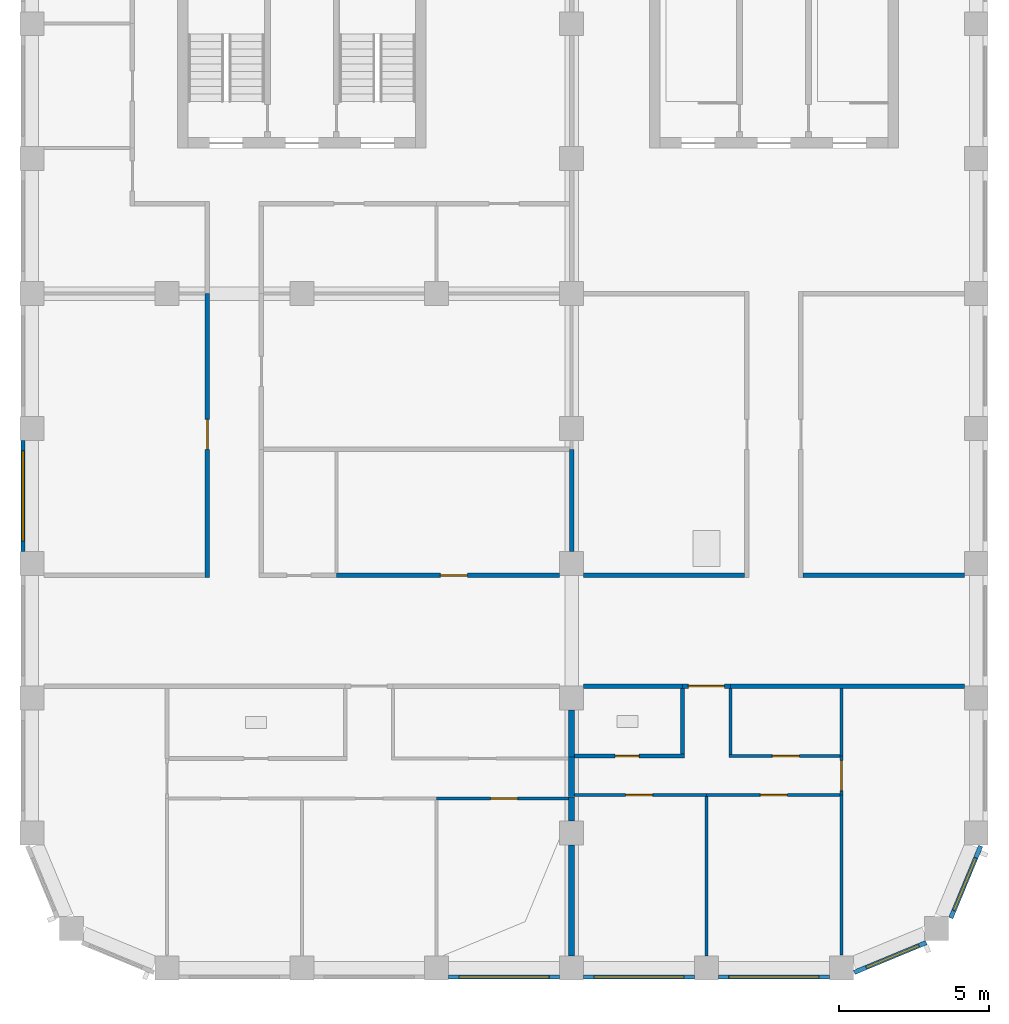
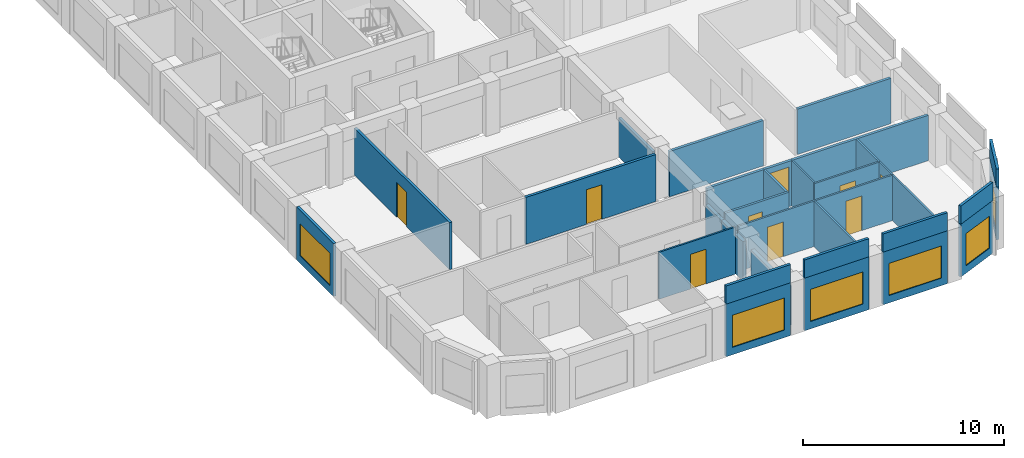
# One storey, part 3 of 10: 34 walls, 9 doors, 6 windows, 15 openings.
"""IFC4 building model written with IfcOpenShell, lengths in metres."""

from ifc_helpers import new_model, si_unit, direction, frame, frame_2d, origin, place, context, subcontext, project, spatial, rectangle, extrude, material, layer, layer_set, type_object, element, fill, save


model = new_model("IFC4")

# Units and contexts
model_context = context("Model", 3, precision=1e-05, world=origin(), true_north=direction((0.0, 1.0)))
body_context = subcontext(model_context, "Body", "Model", "MODEL_VIEW")
ifc_project = project(units=[si_unit("LENGTHUNIT", "METRE"), si_unit("AREAUNIT", "SQUARE_METRE"), si_unit("VOLUMEUNIT", "CUBIC_METRE"), si_unit("PLANEANGLEUNIT", "RADIAN"), si_unit("MASSUNIT", "GRAM", prefix="KILO")], contexts=[model_context])

# Site, building, storey
site_placement = place(None, origin())
site = spatial("IfcSite", under=ifc_project, at=site_placement, CompositionType="ELEMENT")
building_placement = place(site_placement, origin())
building = spatial("IfcBuilding", under=site, at=building_placement, Name="Girih Gate Residences", CompositionType="ELEMENT")
storey_placement = place(building_placement, frame((0.0, 0.0, 232.4951171875)))
storey = spatial("IfcBuildingStorey", under=building, at=storey_placement, Name="L65", CompositionType="ELEMENT", Elevation=232.4951171875)

# Wall
ifc_material_1 = material(Name="Gypsum board on steel studs", Category="steel")
ifc_layer_1 = layer(ifc_material_1, 0.14990234375)
ifc_layer_set_1 = layer_set([ifc_layer_1], Name="Compartment wall 150 mm")
wall_type_1 = type_object("IfcWallType", Name="Compartment wall 150 mm", PredefinedType="PARTITIONING", material=ifc_layer_set_1)
wall_1_placement = place(storey_placement, frame((18.39990234375, 9.39990234375, 0.0), z_axis=(0.0, 0.0, 1.0), x_axis=(1.0, 0.0, 0.0)))
element("IfcWall", 1, at=wall_1_placement, inside=storey, type_object=wall_type_1, Name="L65 partition", PredefinedType="PARTITIONING", context=body_context, shape_type="SweptSolid", body=[
    extrude(rectangle(XDim=3.300048828125, YDim=0.14990234375, at=frame_2d((1.64990234375, 0.0))), origin(), (0.0, 0.0, 1.0), 2.75),
])

# Wall, opening, door
wall_2_placement = place(storey_placement, frame((23.300048828125, 9.39990234375, 0.0), z_axis=(0.0, 0.0, 1.0), x_axis=(-1.0, 0.0, 0.0)))
wall_2 = element("IfcWall", 2, at=wall_2_placement, inside=storey, type_object=wall_type_1, Name="L65 partition", PredefinedType="PARTITIONING", context=body_context, shape_type="SweptSolid", body=[
    extrude(rectangle(XDim=1.60009765625, YDim=0.14990234375, at=frame_2d((0.800048828125, 0.0))), origin(), (0.0, 0.0, 1.0), 2.75),
])
opening_1_placement = place(wall_2_placement, frame((0.199951171875, 0.0, 0.0)))
opening_1 = element("IfcOpeningElement", 3, at=opening_1_placement, cuts=wall_2, Name="Opening A65-023", PredefinedType="OPENING", context=body_context, shape_type="SweptSolid", body=[
    extrude(rectangle(XDim=1.199951171875, YDim=2.39990234375, at=frame_2d((0.60009765625, 1.199951171875))), frame((0.0, 0.0849609375, 0.0), z_axis=(0.0, -1.0, 0.0), x_axis=(1.0, 0.0, 0.0)), (0.0, 0.0, 1.0), 0.169921875),
])
ifc_material_2 = material(Name="Timber, fire-rated core", Category="wood")
door_type_1 = type_object("IfcDoorType", Name="Villa entrance door 1200x2400 FD30S", OperationType="NOTDEFINED", PredefinedType="DOOR", material=ifc_material_2)
door_1_placement = place(opening_1_placement, origin())
door_1 = element("IfcDoor", 4, at=door_1_placement, inside=storey, type_object=door_type_1, Name="Door A65-023", OperationType="SINGLE_SWING_LEFT", OverallHeight=2.39990234375, OverallWidth=1.199951171875, PredefinedType="DOOR", context=body_context, shape_type="SweptSolid", body=[
    extrude(rectangle(XDim=1.199951171875, YDim=2.39990234375, at=frame_2d((0.60009765625, 1.199951171875))), frame((0.0, 0.02490234375, 0.0), z_axis=(0.0, -1.0, 0.0), x_axis=(1.0, 0.0, 0.0)), (0.0, 0.0, 1.0), 0.050048828125),
])
fill(opening_1, door_1)

# Walls
wall_3_placement = place(storey_placement, frame((23.300048828125, 9.39990234375, 0.0), z_axis=(0.0, 0.0, 1.0), x_axis=(1.0, 0.0, 0.0)))
element("IfcWall", 5, at=wall_3_placement, inside=storey, type_object=wall_type_1, Name="L65 partition", PredefinedType="PARTITIONING", context=body_context, shape_type="SweptSolid", body=[
    extrude(rectangle(XDim=7.800048828125, YDim=0.14990234375, at=frame_2d((3.89990234375, 0.0))), origin(), (0.0, 0.0, 1.0), 2.75),
])
for number, where, z_axis, x_axis, name in (
    (6, (18.39990234375, 13.10009765625, 0.0), (0.0, 0.0, 1.0), (1.0, 0.0, 0.0), "L65 partition"),
    (7, (25.72509765625, 13.10009765625, 0.0), (0.0, 0.0, 1.0), (1.0, 0.0, 0.0), "L65 partition"),
):
    element("IfcWall", number, at=place(storey_placement, frame(where, z_axis=z_axis, x_axis=x_axis)), inside=storey, type_object=wall_type_1, Name=name, PredefinedType="PARTITIONING", context=body_context, shape_type="SweptSolid", body=[
        extrude(rectangle(XDim=5.375, YDim=0.14990234375, at=frame_2d((2.6875, 0.0))), origin(), (0.0, 0.0, 1.0), 2.75),
    ])

# Wall, opening, door
wall_4_placement = place(storey_placement, frame((10.14990234375, 13.10009765625, 0.0), z_axis=(0.0, 0.0, 1.0), x_axis=(1.0, 0.0, 0.0)))
wall_4 = element("IfcWall", 8, at=wall_4_placement, inside=storey, type_object=wall_type_1, Name="L65 partition", PredefinedType="PARTITIONING", context=body_context, shape_type="SweptSolid", body=[
    extrude(rectangle(XDim=7.4501953125, YDim=0.14990234375, at=frame_2d((3.72509765625, 0.0))), origin(), (0.0, 0.0, 1.0), 2.849853515625),
])
opening_2_placement = place(wall_4_placement, frame((3.47509765625, 0.0, 0.0)))
opening_2 = element("IfcOpeningElement", 9, at=opening_2_placement, cuts=wall_4, Name="Opening A65-029", PredefinedType="OPENING", context=body_context, shape_type="SweptSolid", body=[
    extrude(rectangle(XDim=0.89990234375, YDim=2.10009765625, at=frame_2d((0.449951171875, 1.050048828125))), frame((0.0, 0.0849609375, 0.0), z_axis=(0.0, -1.0, 0.0), x_axis=(1.0, 0.0, 0.0)), (0.0, 0.0, 1.0), 0.169921875),
])
ifc_material_3 = material(Name="Timber", Category="wood")
door_type_2 = type_object("IfcDoorType", Name="Service room door 900x2100", OperationType="NOTDEFINED", PredefinedType="DOOR", material=ifc_material_3)
door_2_placement = place(opening_2_placement, origin())
door_2 = element("IfcDoor", 10, at=door_2_placement, inside=storey, type_object=door_type_2, Name="Door A65-029", OperationType="SINGLE_SWING_RIGHT", OverallHeight=2.10009765625, OverallWidth=0.89990234375, PredefinedType="DOOR", context=body_context, shape_type="SweptSolid", body=[
    extrude(rectangle(XDim=0.89990234375, YDim=2.10009765625, at=frame_2d((0.449951171875, 1.050048828125))), frame((0.0, 0.02490234375, 0.0), z_axis=(0.0, -1.0, 0.0), x_axis=(1.0, 0.0, 0.0)), (0.0, 0.0, 1.0), 0.050048828125),
])
fill(opening_2, door_2)

# Wall
wall_5_placement = place(storey_placement, frame((18.0, 13.89990234375, 0.0), z_axis=(0.0, 0.0, 1.0), x_axis=(0.0, 1.0, 0.0)))
element("IfcWall", 11, at=wall_5_placement, inside=storey, type_object=wall_type_1, Name="L65 partition", PredefinedType="PARTITIONING", context=body_context, shape_type="SweptSolid", body=[
    extrude(rectangle(XDim=3.400146484375, YDim=0.14990234375, at=frame_2d((1.7001953125, 0.0))), origin(), (0.0, 0.0, 1.0), 2.3798828125),
])

# Wall, opening, door
wall_6_placement = place(storey_placement, frame((5.85009765625, 13.02490234375, 0.0), z_axis=(0.0, 0.0, 1.0), x_axis=(0.0, 1.0, 0.0)))
wall_6 = element("IfcWall", 12, at=wall_6_placement, inside=storey, type_object=wall_type_1, Name="L65 partition", PredefinedType="PARTITIONING", context=body_context, shape_type="SweptSolid", body=[
    extrude(rectangle(XDim=9.47509765625, YDim=0.14990234375, at=frame_2d((4.737548828125, 0.0))), origin(), (0.0, 0.0, 1.0), 2.849853515625),
])
opening_3_placement = place(wall_6_placement, frame((4.27490234375, 0.0, 0.0)))
opening_3 = element("IfcOpeningElement", 13, at=opening_3_placement, cuts=wall_6, Name="Opening A65-037", PredefinedType="OPENING", context=body_context, shape_type="SweptSolid", body=[
    extrude(rectangle(XDim=1.0, YDim=2.10009765625, at=frame_2d((0.5, 1.050048828125))), frame((0.0, 0.0849609375, 0.0), z_axis=(0.0, -1.0, 0.0), x_axis=(1.0, 0.0, 0.0)), (0.0, 0.0, 1.0), 0.169921875),
])
door_type_3 = type_object("IfcDoorType", Name="Amenity room door 1000x2100 FD30S", OperationType="NOTDEFINED", PredefinedType="DOOR", material=ifc_material_2)
door_3_placement = place(opening_3_placement, origin())
door_3 = element("IfcDoor", 14, at=door_3_placement, inside=storey, type_object=door_type_3, Name="Door A65-037", OperationType="SINGLE_SWING_RIGHT", OverallHeight=2.10009765625, OverallWidth=1.0, PredefinedType="DOOR", context=body_context, shape_type="SweptSolid", body=[
    extrude(rectangle(XDim=1.0, YDim=2.10009765625, at=frame_2d((0.5, 1.050048828125))), frame((0.0, 0.02490234375, 0.0), z_axis=(0.0, -1.0, 0.0), x_axis=(1.0, 0.0, 0.0)), (0.0, 0.0, 1.0), 0.050048828125),
])
fill(opening_3, door_3)

ifc_layer_2 = layer(ifc_material_1, 0.10009765625)
ifc_layer_set_2 = layer_set([ifc_layer_2], Name="Partition 100 mm")
wall_type_2 = type_object("IfcWallType", Name="Partition 100 mm", PredefinedType="PARTITIONING", material=ifc_layer_set_2)
wall_7_placement = place(storey_placement, frame((17.89990234375, 5.64990234375, 0.0), z_axis=(0.0, 0.0, 1.0), x_axis=(-1.0, 0.0, 0.0)))
wall_7 = element("IfcWall", 15, at=wall_7_placement, inside=storey, type_object=wall_type_2, Name="L65 partition", PredefinedType="PARTITIONING", context=body_context, shape_type="SweptSolid", body=[
    extrude(rectangle(XDim=4.39990234375, YDim=0.10009765625, at=frame_2d((2.199951171875, 0.0))), origin(), (0.0, 0.0, 1.0), 2.849853515625),
])
opening_4_placement = place(wall_7_placement, frame((1.699951171875, 0.0, 0.0)))
opening_4 = element("IfcOpeningElement", 16, at=opening_4_placement, cuts=wall_7, Name="Opening A65-004", PredefinedType="OPENING", context=body_context, shape_type="SweptSolid", body=[
    extrude(rectangle(XDim=0.89990234375, YDim=2.10009765625, at=frame_2d((0.449951171875, 1.050048828125))), frame((0.0, 0.06005859375, 0.0), z_axis=(0.0, -1.0, 0.0), x_axis=(1.0, 0.0, 0.0)), (0.0, 0.0, 1.0), 0.1201171875),
])
door_type_4 = type_object("IfcDoorType", Name="Bedroom door 900x2100", OperationType="NOTDEFINED", PredefinedType="DOOR", material=ifc_material_3)
door_4_placement = place(opening_4_placement, origin())
door_4 = element("IfcDoor", 17, at=door_4_placement, inside=storey, type_object=door_type_4, Name="Door A65-004", OperationType="SINGLE_SWING_LEFT", OverallHeight=2.10009765625, OverallWidth=0.89990234375, PredefinedType="DOOR", context=body_context, shape_type="SweptSolid", body=[
    extrude(rectangle(XDim=0.89990234375, YDim=2.10009765625, at=frame_2d((0.449951171875, 1.050048828125))), frame((0.0, 0.02490234375, 0.0), z_axis=(0.0, -1.0, 0.0), x_axis=(1.0, 0.0, 0.0)), (0.0, 0.0, 1.0), 0.050048828125),
])
fill(opening_4, door_4)

# Wall
wall_8_placement = place(storey_placement, frame((22.5, 0.39990234375, 0.0), z_axis=(0.0, 0.0, 1.0), x_axis=(0.0, 1.0, 0.0)))
element("IfcWall", 18, at=wall_8_placement, inside=storey, type_object=wall_type_2, Name="L65 partition", PredefinedType="PARTITIONING", context=body_context, shape_type="SweptSolid", body=[
    extrude(rectangle(XDim=5.320068359375, YDim=0.10009765625, at=frame_2d((2.66015625, 0.0))), origin(), (0.0, 0.0, 1.0), 2.75),
])

# Wall, opening, door
wall_9_placement = place(storey_placement, frame((22.5, 5.77001953125, 0.0), z_axis=(0.0, 0.0, 1.0), x_axis=(-1.0, 0.0, 0.0)))
wall_9 = element("IfcWall", 19, at=wall_9_placement, inside=storey, type_object=wall_type_2, Name="L65 partition", PredefinedType="PARTITIONING", context=body_context, shape_type="SweptSolid", body=[
    extrude(rectangle(XDim=4.39990234375, YDim=0.10009765625, at=frame_2d((2.199951171875, 0.0))), origin(), (0.0, 0.0, 1.0), 2.75),
])
opening_5_placement = place(wall_9_placement, frame((1.800048828125, 0.0, 0.0)))
opening_5 = element("IfcOpeningElement", 20, at=opening_5_placement, cuts=wall_9, Name="Opening A65-019", PredefinedType="OPENING", context=body_context, shape_type="SweptSolid", body=[
    extrude(rectangle(XDim=0.89990234375, YDim=2.10009765625, at=frame_2d((0.449951171875, 1.050048828125))), frame((0.0, 0.06005859375, 0.0), z_axis=(0.0, -1.0, 0.0), x_axis=(1.0, 0.0, 0.0)), (0.0, 0.0, 1.0), 0.1201171875),
])
door_5_placement = place(opening_5_placement, origin())
door_5 = element("IfcDoor", 21, at=door_5_placement, inside=storey, type_object=door_type_4, Name="Door A65-019", OperationType="SINGLE_SWING_RIGHT", OverallHeight=2.10009765625, OverallWidth=0.89990234375, PredefinedType="DOOR", context=body_context, shape_type="SweptSolid", body=[
    extrude(rectangle(XDim=0.89990234375, YDim=2.10009765625, at=frame_2d((0.449951171875, 1.050048828125))), frame((0.0, 0.02490234375, 0.0), z_axis=(0.0, -1.0, 0.0), x_axis=(1.0, 0.0, 0.0)), (0.0, 0.0, 1.0), 0.050048828125),
])
fill(opening_5, door_5)

wall_10_placement = place(storey_placement, frame((26.949951171875, 5.77001953125, 0.0), z_axis=(0.0, 0.0, 1.0), x_axis=(-1.0, 0.0, 0.0)))
wall_10 = element("IfcWall", 22, at=wall_10_placement, inside=storey, type_object=wall_type_2, Name="L65 partition", PredefinedType="PARTITIONING", context=body_context, shape_type="SweptSolid", body=[
    extrude(rectangle(XDim=4.449951171875, YDim=0.10009765625, at=frame_2d((2.22509765625, 0.0))), origin(), (0.0, 0.0, 1.0), 2.75),
])
opening_6_placement = place(wall_10_placement, frame((1.75, 0.0, 0.0)))
opening_6 = element("IfcOpeningElement", 23, at=opening_6_placement, cuts=wall_10, Name="Opening A65-020", PredefinedType="OPENING", context=body_context, shape_type="SweptSolid", body=[
    extrude(rectangle(XDim=0.89990234375, YDim=2.10009765625, at=frame_2d((0.449951171875, 1.050048828125))), frame((0.0, 0.06005859375, 0.0), z_axis=(0.0, -1.0, 0.0), x_axis=(1.0, 0.0, 0.0)), (0.0, 0.0, 1.0), 0.1201171875),
])
door_6_placement = place(opening_6_placement, origin())
door_6 = element("IfcDoor", 24, at=door_6_placement, inside=storey, type_object=door_type_4, Name="Door A65-020", OperationType="SINGLE_SWING_LEFT", OverallHeight=2.10009765625, OverallWidth=0.89990234375, PredefinedType="DOOR", context=body_context, shape_type="SweptSolid", body=[
    extrude(rectangle(XDim=0.89990234375, YDim=2.10009765625, at=frame_2d((0.449951171875, 1.050048828125))), frame((0.0, 0.02490234375, 0.0), z_axis=(0.0, -1.0, 0.0), x_axis=(1.0, 0.0, 0.0)), (0.0, 0.0, 1.0), 0.050048828125),
])
fill(opening_6, door_6)

# Walls
wall_11_placement = place(storey_placement, frame((27.0, 0.432861328125, 0.0), z_axis=(0.0, 0.0, 1.0), x_axis=(0.0, 1.0, 0.0)))
element("IfcWall", 25, at=wall_11_placement, inside=storey, type_object=wall_type_2, Name="L65 partition", PredefinedType="PARTITIONING", context=body_context, shape_type="SweptSolid", body=[
    extrude(rectangle(XDim=5.337158203125, YDim=0.10009765625, at=frame_2d((2.66845703125, 0.0))), origin(), (0.0, 0.0, 1.0), 2.75),
])
wall_12_placement = place(storey_placement, frame((23.300048828125, 7.1201171875, 0.0), z_axis=(0.0, 0.0, 1.0), x_axis=(0.0, 1.0, 0.0)))
element("IfcWall", 26, at=wall_12_placement, inside=storey, type_object=wall_type_2, Name="L65 partition", PredefinedType="PARTITIONING", context=body_context, shape_type="SweptSolid", body=[
    extrude(rectangle(XDim=2.204833984375, YDim=0.10009765625, at=frame_2d((1.1025390625, 0.0))), origin(), (0.0, 0.0, 1.0), 2.75),
])

# Wall, opening, door
wall_13_placement = place(storey_placement, frame((23.25, 7.070068359375, 0.0), z_axis=(0.0, 0.0, 1.0), x_axis=(1.0, 0.0, 0.0)))
wall_13 = element("IfcWall", 27, at=wall_13_placement, inside=storey, type_object=wall_type_2, Name="L65 partition", PredefinedType="PARTITIONING", context=body_context, shape_type="SweptSolid", body=[
    extrude(rectangle(XDim=3.699951171875, YDim=0.10009765625, at=frame_2d((1.85009765625, 0.0))), origin(), (0.0, 0.0, 1.0), 2.75),
])
opening_7_placement = place(wall_13_placement, frame((1.449951171875, 0.0, 0.0)))
opening_7 = element("IfcOpeningElement", 28, at=opening_7_placement, cuts=wall_13, Name="Opening A65-021", PredefinedType="OPENING", context=body_context, shape_type="SweptSolid", body=[
    extrude(rectangle(XDim=0.89990234375, YDim=2.10009765625, at=frame_2d((0.449951171875, 1.050048828125))), frame((0.0, 0.06005859375, 0.0), z_axis=(0.0, -1.0, 0.0), x_axis=(1.0, 0.0, 0.0)), (0.0, 0.0, 1.0), 0.1201171875),
])
door_type_5 = type_object("IfcDoorType", Name="Kitchen door 900x2100", OperationType="NOTDEFINED", PredefinedType="DOOR", material=ifc_material_3)
door_7_placement = place(opening_7_placement, origin())
door_7 = element("IfcDoor", 29, at=door_7_placement, inside=storey, type_object=door_type_5, Name="Door A65-021", OperationType="SINGLE_SWING_RIGHT", OverallHeight=2.10009765625, OverallWidth=0.89990234375, PredefinedType="DOOR", context=body_context, shape_type="SweptSolid", body=[
    extrude(rectangle(XDim=0.89990234375, YDim=2.10009765625, at=frame_2d((0.449951171875, 1.050048828125))), frame((0.0, 0.02490234375, 0.0), z_axis=(0.0, -1.0, 0.0), x_axis=(1.0, 0.0, 0.0)), (0.0, 0.0, 1.0), 0.050048828125),
])
fill(opening_7, door_7)

wall_14_placement = place(storey_placement, frame((27.0, 7.070068359375, 0.0), z_axis=(0.0, 0.0, 1.0), x_axis=(0.0, -1.0, 0.0)))
wall_14 = element("IfcWall", 30, at=wall_14_placement, inside=storey, type_object=wall_type_2, Name="L65 partition", PredefinedType="PARTITIONING", context=body_context, shape_type="SweptSolid", body=[
    extrude(rectangle(XDim=1.300048828125, YDim=0.10009765625, at=frame_2d((0.64990234375, 0.0))), origin(), (0.0, 0.0, 1.0), 2.75),
])
opening_8_placement = place(wall_14_placement, frame((0.14990234375, 0.0, 0.0)))
opening_8 = element("IfcOpeningElement", 31, at=opening_8_placement, cuts=wall_14, Name="Opening A65-022", PredefinedType="OPENING", context=body_context, shape_type="SweptSolid", body=[
    extrude(rectangle(XDim=1.0, YDim=2.10009765625, at=frame_2d((0.5, 1.050048828125))), frame((0.0, 0.06005859375, 0.0), z_axis=(0.0, -1.0, 0.0), x_axis=(1.0, 0.0, 0.0)), (0.0, 0.0, 1.0), 0.1201171875),
])
door_type_6 = type_object("IfcDoorType", Name="Living room door 1000x2100", OperationType="NOTDEFINED", PredefinedType="DOOR", material=ifc_material_3)
door_8_placement = place(opening_8_placement, origin())
door_8 = element("IfcDoor", 32, at=door_8_placement, inside=storey, type_object=door_type_6, Name="Door A65-022", OperationType="SINGLE_SWING_LEFT", OverallHeight=2.10009765625, OverallWidth=1.0, PredefinedType="DOOR", context=body_context, shape_type="SweptSolid", body=[
    extrude(rectangle(XDim=1.0, YDim=2.10009765625, at=frame_2d((0.5, 1.050048828125))), frame((0.0, 0.02490234375, 0.0), z_axis=(0.0, -1.0, 0.0), x_axis=(1.0, 0.0, 0.0)), (0.0, 0.0, 1.0), 0.050048828125),
])
fill(opening_8, door_8)

# Walls
wall_15_placement = place(storey_placement, frame((27.0, 7.070068359375, 0.0), z_axis=(0.0, 0.0, 1.0), x_axis=(0.0, 1.0, 0.0)))
element("IfcWall", 33, at=wall_15_placement, inside=storey, type_object=wall_type_2, Name="L65 partition", PredefinedType="PARTITIONING", context=body_context, shape_type="SweptSolid", body=[
    extrude(rectangle(XDim=2.2548828125, YDim=0.10009765625, at=frame_2d((1.12744140625, 0.0))), origin(), (0.0, 0.0, 1.0), 2.75),
])
ifc_layer_3 = layer(ifc_material_1, 0.199951171875)
ifc_layer_set_3 = layer_set([ifc_layer_3], Name="Party wall 200 mm")
wall_type_3 = type_object("IfcWallType", Name="Party wall 200 mm", PredefinedType="PARTITIONING", material=ifc_layer_set_3)
wall_16_placement = place(storey_placement, frame((18.0, 4.89990234375, 0.0), z_axis=(0.0, 0.0, 1.0), x_axis=(0.0, 1.0, 0.0)))
element("IfcWall", 34, at=wall_16_placement, inside=storey, type_object=wall_type_3, Name="L65 partition", PredefinedType="PARTITIONING", context=body_context, shape_type="SweptSolid", body=[
    extrude(rectangle(XDim=0.800048828125, YDim=0.199951171875, at=frame_2d((0.39990234375, 0.0))), origin(), (0.0, 0.0, 1.0), 2.3798828125),
])
wall_17_placement = place(storey_placement, frame((18.0, 0.39990234375, 0.0), z_axis=(0.0, 0.0, 1.0), x_axis=(0.0, 1.0, 0.0)))
element("IfcWall", 35, at=wall_17_placement, inside=storey, type_object=wall_type_3, Name="L65 partition", PredefinedType="PARTITIONING", context=body_context, shape_type="SweptSolid", body=[
    extrude(rectangle(XDim=3.7001953125, YDim=0.199951171875, at=frame_2d((1.85009765625, 0.0))), origin(), (0.0, 0.0, 1.0), 2.3798828125),
])
wall_18_placement = place(storey_placement, frame((18.0, 5.719970703125, 0.0), z_axis=(0.0, 0.0, 1.0), x_axis=(0.0, 1.0, 0.0)))
element("IfcWall", 36, at=wall_18_placement, inside=storey, type_object=wall_type_3, Name="L65 partition", PredefinedType="PARTITIONING", context=body_context, shape_type="SweptSolid", body=[
    extrude(rectangle(XDim=1.320068359375, YDim=0.199951171875, at=frame_2d((0.66015625, 0.0))), origin(), (0.0, 0.0, 1.0), 2.3798828125),
])
wall_19_placement = place(storey_placement, frame((18.0, 7.007568359375, 0.0), z_axis=(0.0, 0.0, 1.0), x_axis=(0.0, 1.0, 0.0)))
element("IfcWall", 37, at=wall_19_placement, inside=storey, type_object=wall_type_3, Name="L65 partition", PredefinedType="PARTITIONING", context=body_context, shape_type="SweptSolid", body=[
    extrude(rectangle(XDim=1.592529296875, YDim=0.199951171875, at=frame_2d((0.79638671875, 0.0))), origin(), (0.0, 0.0, 1.0), 2.3798828125),
])

# Wall, opening, window
ifc_material_4 = material(Name="Precast concrete C50/60", Category="concrete")
ifc_layer_4 = layer(ifc_material_4, 0.050048828125, Name="Outer leaf")
ifc_material_5 = material(Name="Rigid PIR insulation")
ifc_layer_5 = layer(ifc_material_5, 0.06005859375, Name="Insulation")
ifc_material_6 = material(Name="Precast concrete C40/50", Category="concrete")
ifc_layer_6 = layer(ifc_material_6, 0.0400390625, Name="Inner leaf")
ifc_layer_set_4 = layer_set([ifc_layer_4, ifc_layer_5, ifc_layer_6], Name="Precast concrete C50/60 external wall 150")
wall_type_4 = type_object("IfcWallType", Name="Precast concrete C50/60 external wall 150", PredefinedType="SOLIDWALL", material=ifc_layer_set_4)
wall_20_placement = place(storey_placement, frame((29.8330078125, 0.8486328125, 0.0), z_axis=(0.0, 0.0, 1.0), x_axis=(-0.923885342263, -0.382669406082, 0.0)))
wall_20 = element("IfcWall", 38, at=wall_20_placement, inside=storey, type_object=wall_type_4, Name="External wall SE0270_0000.0", PredefinedType="SOLIDWALL", context=body_context, shape_type="SweptSolid", body=[
    extrude(rectangle(XDim=2.602294921875, YDim=0.14990234375, at=frame_2d((1.30126953125, 0.0))), origin(), (0.0, 0.0, 1.0), 3.199951171875),
])
opening_9_placement = place(wall_20_placement, frame((0.27001953125, 0.0, 0.449951171875)))
opening_9 = element("IfcOpeningElement", 39, at=opening_9_placement, cuts=wall_20, Name="Opening W-2G", PredefinedType="OPENING", context=body_context, shape_type="SweptSolid", body=[
    extrude(rectangle(XDim=1.89990234375, YDim=1.949951171875, at=frame_2d((0.949951171875, 0.97509765625))), frame((0.0, 0.0849609375, 0.0), z_axis=(0.0, -1.0, 0.0), x_axis=(1.0, 0.0, 0.0)), (0.0, 0.0, 1.0), 0.169921875),
])
ifc_material_7 = material(Name="Double glazing in aluminium frame", Category="aluminium")
window_type_1 = type_object("IfcWindowType", Name="Window W-2G 1900x1950", PartitioningType="SINGLE_PANEL", PredefinedType="WINDOW", material=ifc_material_7)
window_1_placement = place(opening_9_placement, origin())
window_1 = element("IfcWindow", 40, at=window_1_placement, inside=storey, type_object=window_type_1, Name="Window W-2G SE0270_0000.0", OverallHeight=1.949951171875, OverallWidth=1.89990234375, PartitioningType="SINGLE_PANEL", PredefinedType="WINDOW", context=body_context, shape_type="SweptSolid", body=[
    extrude(rectangle(XDim=1.89990234375, YDim=1.949951171875, at=frame_2d((0.949951171875, 0.97509765625))), frame((0.0, 0.030029296875, 0.0), z_axis=(0.0, -1.0, 0.0), x_axis=(1.0, 0.0, 0.0)), (0.0, 0.0, 1.0), 0.06005859375),
])
fill(opening_9, window_1)

wall_21_placement = place(storey_placement, frame((31.647216796875, 4.0712890625, 0.0), z_axis=(0.0, 0.0, 1.0), x_axis=(-0.382669406082, -0.923885342263, 0.0)))
wall_21 = element("IfcWall", 41, at=wall_21_placement, inside=storey, type_object=wall_type_4, Name="External wall SE0302_0013.0", PredefinedType="SOLIDWALL", context=body_context, shape_type="SweptSolid", body=[
    extrude(rectangle(XDim=2.602294921875, YDim=0.14990234375, at=frame_2d((1.30126953125, 0.0))), origin(), (0.0, 0.0, 1.0), 3.199951171875),
])
opening_10_placement = place(wall_21_placement, frame((0.432373046875, 0.0, 0.449951171875)))
opening_10 = element("IfcOpeningElement", 42, at=opening_10_placement, cuts=wall_21, Name="Opening W-2G", PredefinedType="OPENING", context=body_context, shape_type="SweptSolid", body=[
    extrude(rectangle(XDim=1.89990234375, YDim=1.949951171875, at=frame_2d((0.949951171875, 0.97509765625))), frame((0.0, 0.0849609375, 0.0), z_axis=(0.0, -1.0, 0.0), x_axis=(1.0, 0.0, 0.0)), (0.0, 0.0, 1.0), 0.169921875),
])
window_2_placement = place(opening_10_placement, origin())
window_2 = element("IfcWindow", 43, at=window_2_placement, inside=storey, type_object=window_type_1, Name="Window W-2G SE0302_0013.0", OverallHeight=1.949951171875, OverallWidth=1.89990234375, PartitioningType="SINGLE_PANEL", PredefinedType="WINDOW", context=body_context, shape_type="SweptSolid", body=[
    extrude(rectangle(XDim=1.89990234375, YDim=1.949951171875, at=frame_2d((0.949951171875, 0.97509765625))), frame((0.0, 0.030029296875, 0.0), z_axis=(0.0, -1.0, 0.0), x_axis=(1.0, 0.0, 0.0)), (0.0, 0.0, 1.0), 0.06005859375),
])
fill(opening_10, window_2)

wall_22_placement = place(storey_placement, frame((-0.300048828125, 13.89990234375, 0.0), z_axis=(0.0, 0.0, 1.0), x_axis=(0.0, 1.0, 0.0)))
wall_22 = element("IfcWall", 44, at=wall_22_placement, inside=storey, type_object=wall_type_4, Name="External wall W0000_0450.6", PredefinedType="SOLIDWALL", context=body_context, shape_type="SweptSolid", body=[
    extrude(rectangle(XDim=3.7001953125, YDim=0.14990234375, at=frame_2d((1.85009765625, 0.0))), origin(), (0.0, 0.0, 1.0), 3.199951171875),
])
opening_11_placement = place(wall_22_placement, frame((0.35009765625, 0.0, 0.449951171875)))
opening_11 = element("IfcOpeningElement", 45, at=opening_11_placement, cuts=wall_22, Name="Opening W-1D", PredefinedType="OPENING", context=body_context, shape_type="SweptSolid", body=[
    extrude(rectangle(XDim=3.0, YDim=1.949951171875, at=frame_2d((1.5, 0.97509765625))), frame((0.0, 0.0849609375, 0.0), z_axis=(0.0, -1.0, 0.0), x_axis=(1.0, 0.0, 0.0)), (0.0, 0.0, 1.0), 0.169921875),
])
window_type_2 = type_object("IfcWindowType", Name="Window W-1D 3000x1950", PartitioningType="SINGLE_PANEL", PredefinedType="WINDOW", material=ifc_material_7)
window_3_placement = place(opening_11_placement, origin())
window_3 = element("IfcWindow", 46, at=window_3_placement, inside=storey, type_object=window_type_2, Name="Window W-1D W0000_0450.6", OverallHeight=1.949951171875, OverallWidth=3.0, PartitioningType="SINGLE_PANEL", PredefinedType="WINDOW", context=body_context, shape_type="SweptSolid", body=[
    extrude(rectangle(XDim=3.0, YDim=1.949951171875, at=frame_2d((1.5, 0.97509765625))), frame((0.0, 0.030029296875, 0.0), z_axis=(0.0, -1.0, 0.0), x_axis=(1.0, 0.0, 0.0)), (0.0, 0.0, 1.0), 0.06005859375),
])
fill(opening_11, window_3)

wall_23_placement = place(storey_placement, frame((17.60009765625, -0.300048828125, 0.0), z_axis=(0.0, 0.0, 1.0), x_axis=(-1.0, 0.0, 0.0)))
wall_23 = element("IfcWall", 47, at=wall_23_placement, inside=storey, type_object=wall_type_4, Name="External wall S0045_0000.2", PredefinedType="SOLIDWALL", context=body_context, shape_type="SweptSolid", body=[
    extrude(rectangle(XDim=3.7001953125, YDim=0.14990234375, at=frame_2d((1.85009765625, 0.0))), origin(), (0.0, 0.0, 1.0), 3.199951171875),
])
opening_12_placement = place(wall_23_placement, frame((0.35009765625, 0.0, 0.449951171875)))
opening_12 = element("IfcOpeningElement", 48, at=opening_12_placement, cuts=wall_23, Name="Opening W-1D", PredefinedType="OPENING", context=body_context, shape_type="SweptSolid", body=[
    extrude(rectangle(XDim=3.0, YDim=1.949951171875, at=frame_2d((1.5, 0.97509765625))), frame((0.0, 0.0849609375, 0.0), z_axis=(0.0, -1.0, 0.0), x_axis=(1.0, 0.0, 0.0)), (0.0, 0.0, 1.0), 0.169921875),
])
window_4_placement = place(opening_12_placement, origin())
window_4 = element("IfcWindow", 49, at=window_4_placement, inside=storey, type_object=window_type_2, Name="Window W-1D S0045_0000.2", OverallHeight=1.949951171875, OverallWidth=3.0, PartitioningType="SINGLE_PANEL", PredefinedType="WINDOW", context=body_context, shape_type="SweptSolid", body=[
    extrude(rectangle(XDim=3.0, YDim=1.949951171875, at=frame_2d((1.5, 0.97509765625))), frame((0.0, 0.030029296875, 0.0), z_axis=(0.0, -1.0, 0.0), x_axis=(1.0, 0.0, 0.0)), (0.0, 0.0, 1.0), 0.06005859375),
])
fill(opening_12, window_4)

wall_24_placement = place(storey_placement, frame((22.10009765625, -0.300048828125, 0.0), z_axis=(0.0, 0.0, 1.0), x_axis=(-1.0, 0.0, 0.0)))
wall_24 = element("IfcWall", 50, at=wall_24_placement, inside=storey, type_object=wall_type_4, Name="External wall S0045_0000.3", PredefinedType="SOLIDWALL", context=body_context, shape_type="SweptSolid", body=[
    extrude(rectangle(XDim=3.7001953125, YDim=0.14990234375, at=frame_2d((1.85009765625, 0.0))), origin(), (0.0, 0.0, 1.0), 3.199951171875),
])
opening_13_placement = place(wall_24_placement, frame((0.35009765625, 0.0, 0.449951171875)))
opening_13 = element("IfcOpeningElement", 51, at=opening_13_placement, cuts=wall_24, Name="Opening W-1D", PredefinedType="OPENING", context=body_context, shape_type="SweptSolid", body=[
    extrude(rectangle(XDim=3.0, YDim=1.949951171875, at=frame_2d((1.5, 0.97509765625))), frame((0.0, 0.0849609375, 0.0), z_axis=(0.0, -1.0, 0.0), x_axis=(1.0, 0.0, 0.0)), (0.0, 0.0, 1.0), 0.169921875),
])
window_5_placement = place(opening_13_placement, origin())
window_5 = element("IfcWindow", 52, at=window_5_placement, inside=storey, type_object=window_type_2, Name="Window W-1D S0045_0000.3", OverallHeight=1.949951171875, OverallWidth=3.0, PartitioningType="SINGLE_PANEL", PredefinedType="WINDOW", context=body_context, shape_type="SweptSolid", body=[
    extrude(rectangle(XDim=3.0, YDim=1.949951171875, at=frame_2d((1.5, 0.97509765625))), frame((0.0, 0.030029296875, 0.0), z_axis=(0.0, -1.0, 0.0), x_axis=(1.0, 0.0, 0.0)), (0.0, 0.0, 1.0), 0.06005859375),
])
fill(opening_13, window_5)

wall_25_placement = place(storey_placement, frame((26.60009765625, -0.300048828125, 0.0), z_axis=(0.0, 0.0, 1.0), x_axis=(-1.0, 0.0, 0.0)))
wall_25 = element("IfcWall", 53, at=wall_25_placement, inside=storey, type_object=wall_type_4, Name="External wall S0045_0000.4", PredefinedType="SOLIDWALL", context=body_context, shape_type="SweptSolid", body=[
    extrude(rectangle(XDim=3.7001953125, YDim=0.14990234375, at=frame_2d((1.85009765625, 0.0))), origin(), (0.0, 0.0, 1.0), 3.199951171875),
])
opening_14_placement = place(wall_25_placement, frame((0.35009765625, 0.0, 0.449951171875)))
opening_14 = element("IfcOpeningElement", 54, at=opening_14_placement, cuts=wall_25, Name="Opening W-1D", PredefinedType="OPENING", context=body_context, shape_type="SweptSolid", body=[
    extrude(rectangle(XDim=3.0, YDim=1.949951171875, at=frame_2d((1.5, 0.97509765625))), frame((0.0, 0.0849609375, 0.0), z_axis=(0.0, -1.0, 0.0), x_axis=(1.0, 0.0, 0.0)), (0.0, 0.0, 1.0), 0.169921875),
])
window_6_placement = place(opening_14_placement, origin())
window_6 = element("IfcWindow", 55, at=window_6_placement, inside=storey, type_object=window_type_2, Name="Window W-1D S0045_0000.4", OverallHeight=1.949951171875, OverallWidth=3.0, PartitioningType="SINGLE_PANEL", PredefinedType="WINDOW", context=body_context, shape_type="SweptSolid", body=[
    extrude(rectangle(XDim=3.0, YDim=1.949951171875, at=frame_2d((1.5, 0.97509765625))), frame((0.0, 0.030029296875, 0.0), z_axis=(0.0, -1.0, 0.0), x_axis=(1.0, 0.0, 0.0)), (0.0, 0.0, 1.0), 0.06005859375),
])
fill(opening_14, window_6)

# Walls
ifc_layer_7 = layer(ifc_material_4, 0.14990234375)
ifc_layer_set_5 = layer_set([ifc_layer_7], Name="Roof parapet 150")
wall_type_5 = type_object("IfcWallType", Name="Roof parapet 150", PredefinedType="PARAPET", material=ifc_layer_set_5)
for number, where, z_axis, x_axis, name in (
    (56, (29.8330078125, 0.8486328125, 3.199951171875), (0.0, 0.0, 1.0), (-0.923885342263, -0.382669406082, 0.0), "Roof parapet SE0270_0000.0"),
    (57, (31.647216796875, 4.0712890625, 3.199951171875), (0.0, 0.0, 1.0), (-0.382669406082, -0.923885342263, 0.0), "Roof parapet SE0302_0013.0"),
):
    element("IfcWall", number, at=place(storey_placement, frame(where, z_axis=z_axis, x_axis=x_axis)), inside=storey, type_object=wall_type_5, Name=name, PredefinedType="PARAPET", context=body_context, shape_type="SweptSolid", body=[
        extrude(rectangle(XDim=2.602294921875, YDim=0.14990234375, at=frame_2d((1.30126953125, 0.0))), origin(), (0.0, 0.0, 1.0), 1.099853515625),
    ])
for number, where, z_axis, x_axis, name in (
    (58, (17.60009765625, -0.300048828125, 3.199951171875), (0.0, 0.0, 1.0), (-1.0, 0.0, 0.0), "Roof parapet S0045_0000.2"),
    (59, (22.10009765625, -0.300048828125, 3.199951171875), (0.0, 0.0, 1.0), (-1.0, 0.0, 0.0), "Roof parapet S0045_0000.3"),
    (60, (26.60009765625, -0.300048828125, 3.199951171875), (0.0, 0.0, 1.0), (-1.0, 0.0, 0.0), "Roof parapet S0045_0000.4"),
):
    element("IfcWall", number, at=place(storey_placement, frame(where, z_axis=z_axis, x_axis=x_axis)), inside=storey, type_object=wall_type_5, Name=name, PredefinedType="PARAPET", context=body_context, shape_type="SweptSolid", body=[
        extrude(rectangle(XDim=3.7001953125, YDim=0.14990234375, at=frame_2d((1.85009765625, 0.0))), origin(), (0.0, 0.0, 1.0), 1.099853515625),
    ])
ifc_layer_8 = layer(ifc_material_1, 0.125)
ifc_layer_set_6 = layer_set([ifc_layer_8], Name="Wet room wall 125 mm")
wall_type_6 = type_object("IfcWallType", Name="Wet room wall 125 mm", PredefinedType="PARTITIONING", material=ifc_layer_set_6)
wall_26_placement = place(storey_placement, frame((21.699951171875, 7.132568359375, 0.0), z_axis=(0.0, 0.0, 1.0), x_axis=(0.0, 1.0, 0.0)))
element("IfcWall", 61, at=wall_26_placement, inside=storey, type_object=wall_type_6, Name="L65 partition", PredefinedType="PARTITIONING", context=body_context, shape_type="SweptSolid", body=[
    extrude(rectangle(XDim=2.1923828125, YDim=0.125, at=frame_2d((1.09619140625, 0.0))), origin(), (0.0, 0.0, 1.0), 2.75),
])

# Wall, opening, door
wall_27_placement = place(storey_placement, frame((18.10009765625, 7.070068359375, 0.0), z_axis=(0.0, 0.0, 1.0), x_axis=(1.0, 0.0, 0.0)))
wall_27 = element("IfcWall", 62, at=wall_27_placement, inside=storey, type_object=wall_type_6, Name="L65 partition", PredefinedType="PARTITIONING", context=body_context, shape_type="SweptSolid", body=[
    extrude(rectangle(XDim=3.662353515625, YDim=0.125, at=frame_2d((1.8310546875, 0.0))), origin(), (0.0, 0.0, 1.0), 2.75),
])
opening_15_placement = place(wall_27_placement, frame((1.35009765625, 0.0, 0.0)))
opening_15 = element("IfcOpeningElement", 63, at=opening_15_placement, cuts=wall_27, Name="Opening A65-018", PredefinedType="OPENING", context=body_context, shape_type="SweptSolid", body=[
    extrude(rectangle(XDim=0.800048828125, YDim=2.10009765625, at=frame_2d((0.39990234375, 1.050048828125))), frame((0.0, 0.072509765625, 0.0), z_axis=(0.0, -1.0, 0.0), x_axis=(1.0, 0.0, 0.0)), (0.0, 0.0, 1.0), 0.14501953125),
])
door_type_7 = type_object("IfcDoorType", Name="Bathroom door 800x2100", OperationType="NOTDEFINED", PredefinedType="DOOR", material=ifc_material_3)
door_9_placement = place(opening_15_placement, origin())
door_9 = element("IfcDoor", 64, at=door_9_placement, inside=storey, type_object=door_type_7, Name="Door A65-018", OperationType="SINGLE_SWING_LEFT", OverallHeight=2.10009765625, OverallWidth=0.800048828125, PredefinedType="DOOR", context=body_context, shape_type="SweptSolid", body=[
    extrude(rectangle(XDim=0.800048828125, YDim=2.10009765625, at=frame_2d((0.39990234375, 1.050048828125))), frame((0.0, 0.02490234375, 0.0), z_axis=(0.0, -1.0, 0.0), x_axis=(1.0, 0.0, 0.0)), (0.0, 0.0, 1.0), 0.050048828125),
])
fill(opening_15, door_9)

save(model, "model.ifc")
